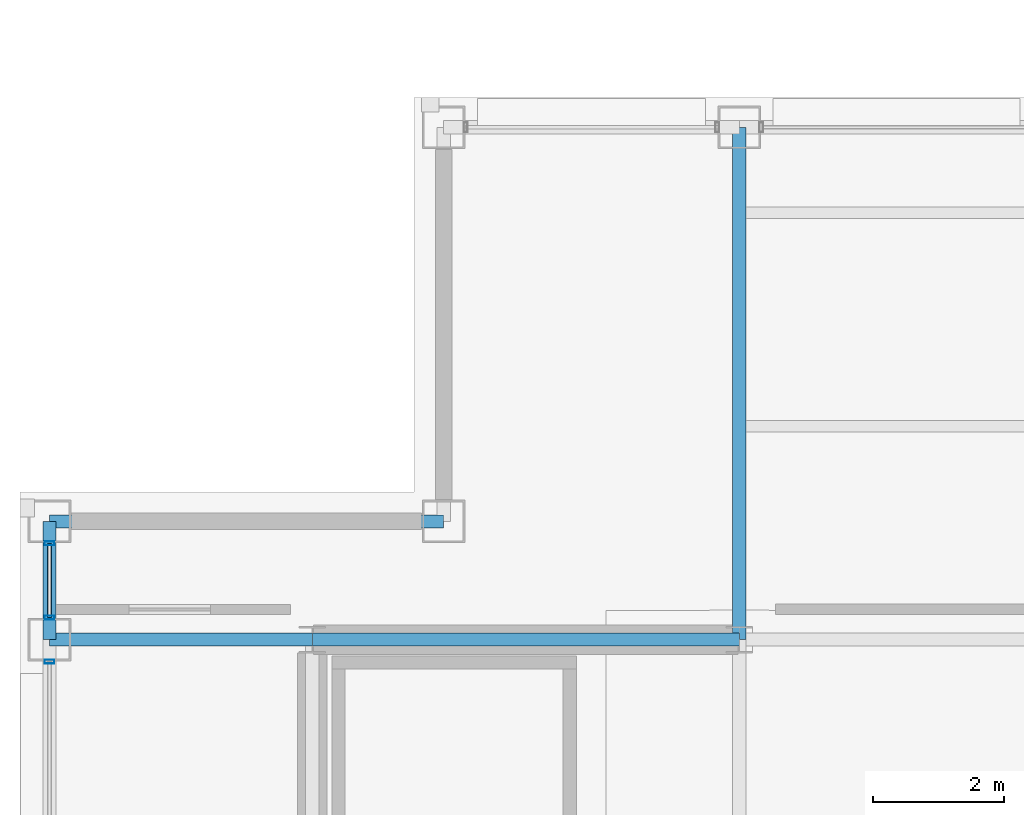
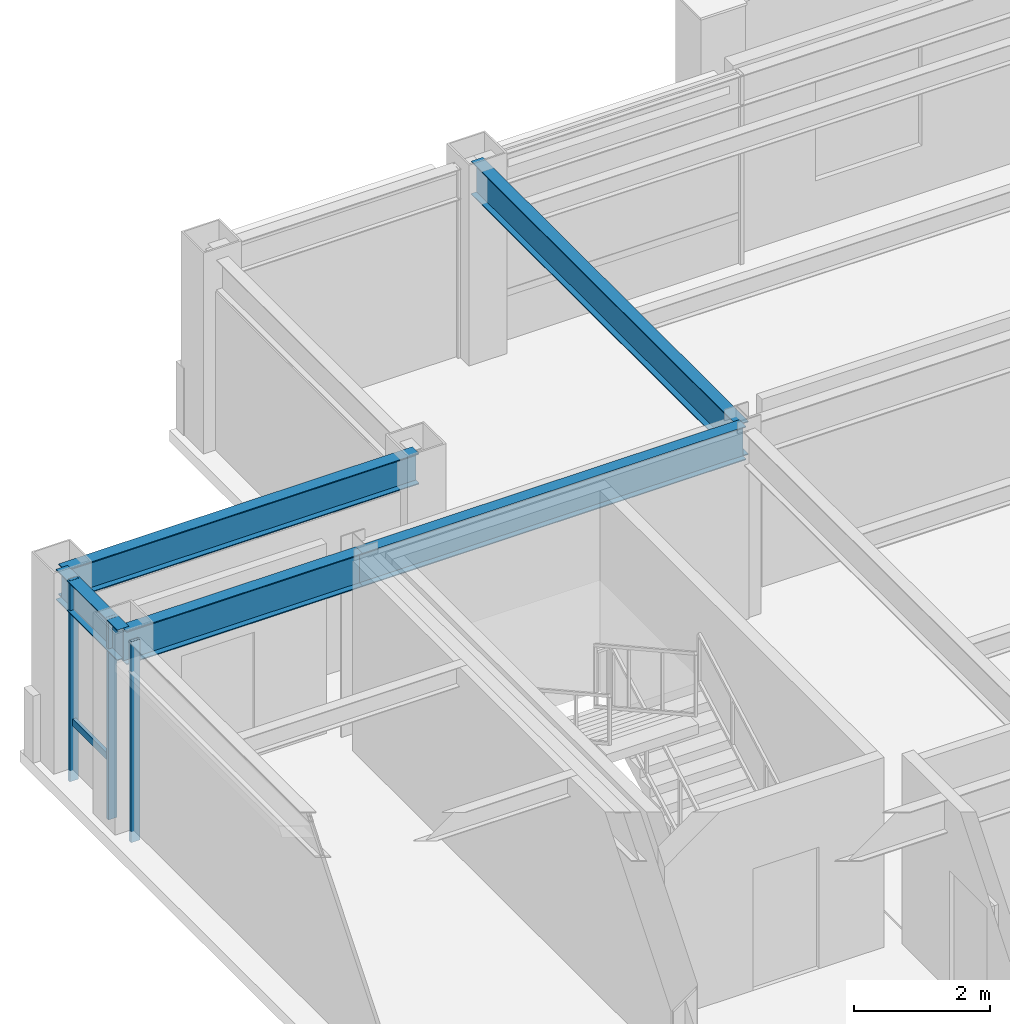
# One storey, part 9 of 24: 5 beams, 4 members, 2 elements without a shape of their own.
"""IFC4 building model written with IfcOpenShell, lengths in metres."""

from ifc_helpers import new_model, si_unit, direction, frame, origin, origin_2d, place, context, subcontext, project, spatial, hollow_rectangle, i_section, extrude, material, layer, layer_set, material_profile, profile_set, type_object, element, aggregate, save


model = new_model("IFC4")

# Units and contexts
model_context = context("Model", 3, precision=1e-05, world=origin(), true_north=direction((0.0, 1.0)))
body_context = subcontext(model_context, "Body", "Model", "MODEL_VIEW")
ifc_project = project(units=[si_unit("LENGTHUNIT", "METRE"), si_unit("AREAUNIT", "SQUARE_METRE"), si_unit("VOLUMEUNIT", "CUBIC_METRE"), si_unit("PLANEANGLEUNIT", "RADIAN"), si_unit("MASSUNIT", "GRAM", prefix="KILO")], contexts=[model_context])

# Site, building, storey
site_placement = place(None, origin())
site = spatial("IfcSite", under=ifc_project, at=site_placement, CompositionType="ELEMENT")
building_placement = place(site_placement, origin())
building = spatial("IfcBuilding", under=site, at=building_placement, Name="Brelmoor Portico Tower", CompositionType="ELEMENT")
storey_placement = place(building_placement, frame((0.0, 0.0, 232.800048828125)))
storey = spatial("IfcBuildingStorey", under=building, at=storey_placement, Name="L61", CompositionType="ELEMENT", Elevation=232.800048828125)

# Beams
ifc_material_1 = material(Name="Steel Q355B", Category="steel")
ifc_material_profile_1 = material_profile(ifc_material_1, i_section(OverallWidth=0.199951171875, OverallDepth=0.60009765625, WebThickness=0.010986328125, FlangeThickness=0.01708984375, at=origin_2d()), Name="HN 600x200x11x17")
ifc_profile_set_1 = profile_set([ifc_material_profile_1], Name="Steel Q355B")
beam_type_1 = type_object("IfcBeamType", Name="BM-PG-600", PredefinedType="BEAM", material=ifc_profile_set_1)
beam_1_placement = place(storey_placement, frame((-8.050048828125, 9.75, 3.099853515625), z_axis=(0.0, 1.0, 0.0), x_axis=(-1.0, 0.0, 0.0)))
element("IfcBeam", 1, at=beam_1_placement, inside=storey, type_object=beam_type_1, Name="L61 Primary Floor Girder PG-05", PredefinedType="BEAM", context=body_context, shape_type="SweptSolid", body=[
    extrude(i_section(OverallWidth=0.199951171875, OverallDepth=0.60009765625, WebThickness=0.010986328125, FlangeThickness=0.01708984375, at=origin_2d()), origin(), (0.0, 0.0, 1.0), 7.800048828125),
])
beam_2_placement = place(storey_placement, frame((-18.550048828125, 9.75, 3.099853515625), z_axis=(1.0, 0.0, 0.0), x_axis=(0.0, 1.0, 0.0)))
element("IfcBeam", 2, at=beam_2_placement, inside=storey, type_object=beam_type_1, Name="L61 Primary Floor Girder PG-19", PredefinedType="BEAM", context=body_context, shape_type="SweptSolid", body=[
    extrude(i_section(OverallWidth=0.199951171875, OverallDepth=0.60009765625, WebThickness=0.010986328125, FlangeThickness=0.01708984375, at=origin_2d()), origin(), (0.0, 0.0, 1.0), 4.0),
])
beam_3_placement = place(storey_placement, frame((-14.550048828125, 9.75, 3.099853515625), z_axis=(1.0, 0.0, 0.0), x_axis=(0.0, 1.0, 0.0)))
element("IfcBeam", 3, at=beam_3_placement, inside=storey, type_object=beam_type_1, Name="L61 Primary Floor Girder PG-20", PredefinedType="BEAM", context=body_context, shape_type="SweptSolid", body=[
    extrude(i_section(OverallWidth=0.199951171875, OverallDepth=0.60009765625, WebThickness=0.010986328125, FlangeThickness=0.01708984375, at=origin_2d()), origin(), (0.0, 0.0, 1.0), 6.5),
])
ifc_material_profile_2 = material_profile(ifc_material_1, i_section(OverallWidth=0.199951171875, OverallDepth=0.550048828125, WebThickness=0.010009765625, FlangeThickness=0.01611328125, at=origin_2d()), Name="HN 550x200x10x16")
ifc_profile_set_2 = profile_set([ifc_material_profile_2], Name="Steel Q355B")
beam_type_2 = type_object("IfcBeamType", Name="BM-SP-550", PredefinedType="SPANDREL", material=ifc_profile_set_2)
beam_4_placement = place(storey_placement, frame((-18.550048828125, 11.550048828125, 3.125), z_axis=(1.0, 0.0, 0.0), x_axis=(0.0, 1.0, 0.0)))
element("IfcBeam", 4, at=beam_4_placement, inside=storey, type_object=beam_type_2, Name="L61 Perimeter Spandrel Beam SP-06", PredefinedType="SPANDREL", context=body_context, shape_type="SweptSolid", body=[
    extrude(i_section(OverallWidth=0.199951171875, OverallDepth=0.550048828125, WebThickness=0.010009765625, FlangeThickness=0.01611328125, at=origin_2d()), origin(), (0.0, 0.0, 1.0), 6.0),
])
beam_5_placement = place(storey_placement, frame((-18.550048828125, 9.75, 3.125), z_axis=(0.0, 1.0, 0.0), x_axis=(-1.0, 0.0, 0.0)))
element("IfcBeam", 5, at=beam_5_placement, inside=storey, type_object=beam_type_2, Name="L61 Perimeter Spandrel Beam SP-13", PredefinedType="SPANDREL", context=body_context, shape_type="SweptSolid", body=[
    extrude(i_section(OverallWidth=0.199951171875, OverallDepth=0.550048828125, WebThickness=0.010009765625, FlangeThickness=0.01611328125, at=origin_2d()), origin(), (0.0, 0.0, 1.0), 1.800048828125),
])

# Curtain wall, member
ifc_material_2 = material(Name="Anodised Aluminium Alloy 6063-T6", Category="aluminium")
ifc_layer_1 = layer(ifc_material_2, 0.179931640625)
ifc_layer_set_1 = layer_set([ifc_layer_1], Name="Anodised Aluminium Alloy 6063-T6")
curtain_wall_type_1 = type_object("IfcCurtainWallType", Name="CW-TOWER-Z4-XB", PredefinedType="NOTDEFINED", material=ifc_layer_set_1)
curtain_wall_1_placement = place(storey_placement, origin())
curtain_wall_1 = element("IfcCurtainWall", 6, at=curtain_wall_1_placement, inside=storey, type_object=curtain_wall_type_1, Name="L61 Curtain Wall CW-L61-03-2", PredefinedType="NOTDEFINED")
ifc_material_profile_3 = material_profile(ifc_material_2, hollow_rectangle(XDim=0.06005859375, YDim=0.14990234375, WallThickness=0.00390625, at=origin_2d()), Name="ALU MULLION 60x150")
ifc_profile_set_3 = profile_set([ifc_material_profile_3], Name="Anodised Aluminium Alloy 6063-T6")
member_type_1 = type_object("IfcMemberType", Name="MB-CW-MULL-150", PredefinedType="MULLION", material=ifc_profile_set_3)
member_1_placement = place(storey_placement, frame((-18.550048828125, 9.4150390625, -0.199951171875), z_axis=(0.0, 0.0, 1.0), x_axis=(0.0, 1.0, 0.0)))
member_1 = element("IfcMember", 7, at=member_1_placement, type_object=member_type_1, Name="CW-L61-03-2 Mullion 02", PredefinedType="MULLION", context=body_context, shape_type="SweptSolid", body=[
    extrude(hollow_rectangle(XDim=0.06005859375, YDim=0.14990234375, WallThickness=0.00390625, at=origin_2d()), origin(), (0.0, 0.0, 1.0), 3.599853515625),
])
aggregate(curtain_wall_1, [member_1])

# Curtain wall, members
ifc_layer_2 = layer(ifc_material_2, 0.179931640625)
ifc_layer_set_2 = layer_set([ifc_layer_2], Name="Anodised Aluminium Alloy 6063-T6")
curtain_wall_type_2 = type_object("IfcCurtainWallType", Name="CW-TOWER-Z4", PredefinedType="NOTDEFINED", material=ifc_layer_set_2)
curtain_wall_2_placement = place(storey_placement, origin())
curtain_wall_2 = element("IfcCurtainWall", 8, at=curtain_wall_2_placement, inside=storey, type_object=curtain_wall_type_2, Name="L61 Curtain Wall CW-L61-03-3", PredefinedType="NOTDEFINED")
member_2_placement = place(storey_placement, frame((-18.550048828125, 10.0849609375, -0.199951171875), z_axis=(0.0, 0.0, 1.0), x_axis=(0.0, 1.0, 0.0)))
member_2 = element("IfcMember", 9, at=member_2_placement, type_object=member_type_1, Name="CW-L61-03-3 Mullion 00", PredefinedType="MULLION", context=body_context, shape_type="SweptSolid", body=[
    extrude(hollow_rectangle(XDim=0.06005859375, YDim=0.14990234375, WallThickness=0.00390625, at=origin_2d()), origin(), (0.0, 0.0, 1.0), 3.599853515625),
])
member_3_placement = place(storey_placement, frame((-18.550048828125, 11.215087890625, -0.199951171875), z_axis=(0.0, 0.0, 1.0), x_axis=(0.0, 1.0, 0.0)))
member_3 = element("IfcMember", 10, at=member_3_placement, type_object=member_type_1, Name="CW-L61-03-3 Mullion 01", PredefinedType="MULLION", context=body_context, shape_type="SweptSolid", body=[
    extrude(hollow_rectangle(XDim=0.06005859375, YDim=0.14990234375, WallThickness=0.00390625, at=origin_2d()), origin(), (0.0, 0.0, 1.0), 3.599853515625),
])
ifc_material_profile_4 = material_profile(ifc_material_2, hollow_rectangle(XDim=0.06005859375, YDim=0.125, WallThickness=0.00341796875, at=origin_2d()), Name="ALU TRANSOM 60x125")
ifc_profile_set_4 = profile_set([ifc_material_profile_4], Name="Anodised Aluminium Alloy 6063-T6")
member_type_2 = type_object("IfcMemberType", Name="MB-CW-TRAN-125", PredefinedType="USERDEFINED", material=ifc_profile_set_4)
member_4_placement = place(storey_placement, frame((-18.550048828125, 10.0849609375, 0.849853515625), z_axis=(0.0, 1.0, 0.0), x_axis=(-1.0, 0.0, 0.0)))
member_4 = element("IfcMember", 11, at=member_4_placement, type_object=member_type_2, Name="CW-L61-03-3 Transom 1-00", ObjectType="TRANSOM", PredefinedType="USERDEFINED", context=body_context, shape_type="SweptSolid", body=[
    extrude(hollow_rectangle(XDim=0.06005859375, YDim=0.125, WallThickness=0.00341796875, at=origin_2d()), origin(), (0.0, 0.0, 1.0), 1.130126953125),
])
aggregate(curtain_wall_2, [member_2, member_3, member_4])

save(model, "model.ifc")
